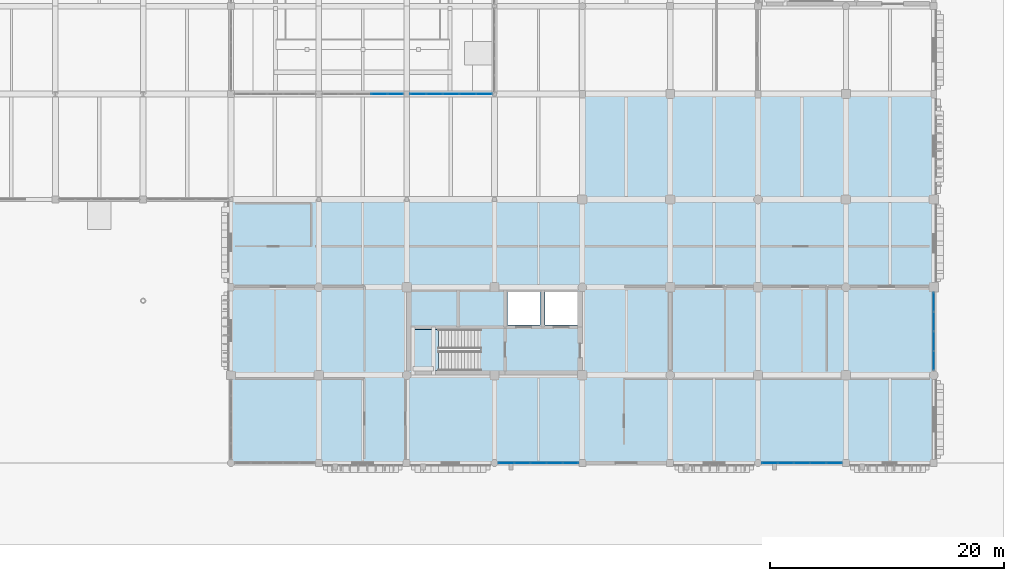
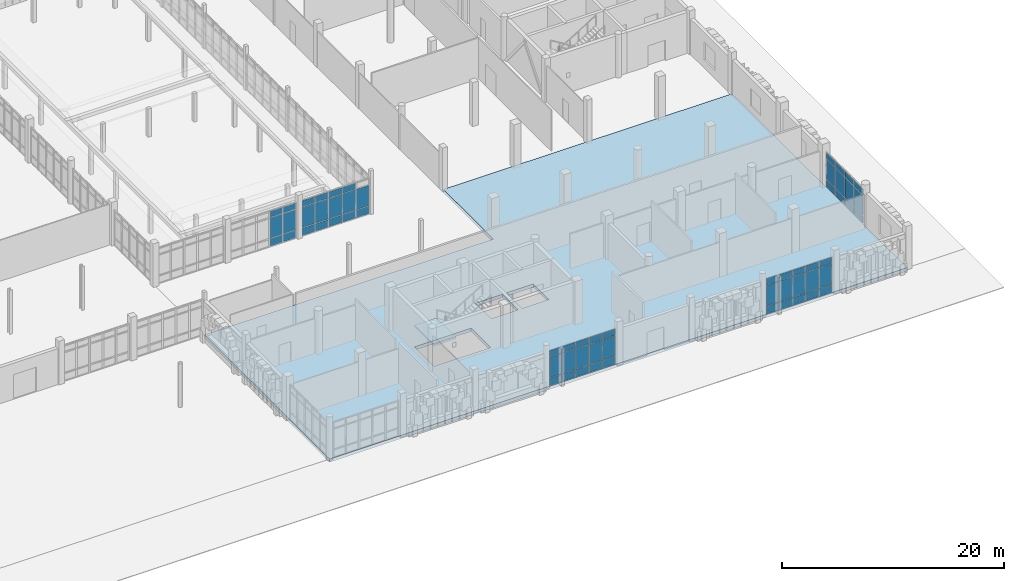
# One storey, part 82 of 125: 62 plates, 2 slabs, 6 elements without a shape of their own.
"""IFC4 building model written with IfcOpenShell, lengths in metres."""

import ifcopenshell
import ifcopenshell.guid

model = None  # the IFC model being written
_history = None  # IfcOwnerHistory: only IFC2X3 demands one
_inside = {}  # id of a spatial element -> (the spatial element, [elements in it])
_under = {}  # id of a project, library or spatial element -> (it, [spatial elements below it])
_declared = {}  # id of a project -> (the project, [libraries it declares])
_typed = {}  # id of a type object -> (the type object, [elements of that type])
_made_of = {}  # id of a material, layer set ... -> (it, [elements and type objects made of it])


def new_model(schema):
    """Start an empty IFC model of exactly this schema.

    Asked for "IFC4X3", IfcOpenShell would pick the latest addendum, in which some entities
    have other attributes; the version numbers below select the first issue.
    IFC2X3 requires an IfcOwnerHistory on every rooted entity: one is made here for all.
    """
    global model, _history
    if schema == "IFC4X3":
        model = ifcopenshell.file(schema_version=(4, 3, 0, 0))
    else:
        model = ifcopenshell.file(schema=schema)
    _inside.clear()
    _under.clear()
    _declared.clear()
    _typed.clear()
    _made_of.clear()
    _history = None
    if model.schema == "IFC2X3":
        org = make("IfcOrganization", Name="unknown")
        user = make(
            "IfcPersonAndOrganization",
            ThePerson=make("IfcPerson", FamilyName="unknown"),
            TheOrganization=org,
        )
        app = make(
            "IfcApplication",
            ApplicationDeveloper=org,
            Version="unknown",
            ApplicationFullName="unknown",
            ApplicationIdentifier="unknown",
        )
        _history = make(
            "IfcOwnerHistory",
            OwningUser=user,
            OwningApplication=app,
            ChangeAction="ADDED",
            CreationDate=0,
        )
    return model


def make(cls, **values):
    """One entity of the class cls with the attributes given. An attribute that is None is left unset."""
    return model.create_entity(
        cls, **{name: value for name, value in values.items() if value is not None}
    )


def rooted(cls, **values):
    """An entity with a GlobalId (a new one), such as an element, a storey or a relation."""
    return make(cls, GlobalId=ifcopenshell.guid.new(), OwnerHistory=_history, **values)


def si_unit(unit_type, name, prefix=None):
    """IfcSIUnit, for example si_unit("LENGTHUNIT", "METRE", prefix="MILLI")."""
    return make("IfcSIUnit", UnitType=unit_type, Prefix=prefix, Name=name)


def assignment(units):
    """IfcUnitAssignment: the units of a project."""
    return None if units is None else make("IfcUnitAssignment", Units=units)


def point(xyz):
    """IfcCartesianPoint."""
    return None if xyz is None else make("IfcCartesianPoint", Coordinates=xyz)


def direction(xyz):
    """IfcDirection."""
    return None if xyz is None else make("IfcDirection", DirectionRatios=xyz)


def frame(location, z_axis=None, x_axis=None):
    """IfcAxis2Placement3D, a coordinate frame: its origin and axes. An axis left out is left unset."""
    return make(
        "IfcAxis2Placement3D",
        Location=point(location),
        Axis=direction(z_axis),
        RefDirection=direction(x_axis),
    )


def frame_2d(location, x_axis=None):
    """IfcAxis2Placement2D, a coordinate frame in the plane: its origin and x axis."""
    return make(
        "IfcAxis2Placement2D", Location=point(location), RefDirection=direction(x_axis)
    )


def origin():
    """The frame at (0, 0, 0) with its axes left unset."""
    return frame((0.0, 0.0, 0.0))


def origin_2d():
    """The frame at (0, 0) in the plane with its x axis left unset."""
    return frame_2d((0.0, 0.0))


def place(relative_to, where):
    """IfcLocalPlacement: puts the frame where relative to a parent placement (None: the world)."""
    return make(
        "IfcLocalPlacement", PlacementRelTo=relative_to, RelativePlacement=where
    )


def context(
    kind, dimensions, precision=None, world=None, true_north=None, identifier=None
):
    """IfcGeometricRepresentationContext, for example the 3D "Model" context."""
    return make(
        "IfcGeometricRepresentationContext",
        ContextIdentifier=identifier,
        ContextType=kind,
        CoordinateSpaceDimension=dimensions,
        Precision=precision,
        WorldCoordinateSystem=world,
        TrueNorth=true_north,
    )


def subcontext(parent, identifier, kind, view, scale=None):
    """IfcGeometricRepresentationSubContext, for example "Body" below "Model"."""
    return make(
        "IfcGeometricRepresentationSubContext",
        ContextIdentifier=identifier,
        ContextType=kind,
        ParentContext=parent,
        TargetScale=scale,
        TargetView=view,
    )


def project(units=None, contexts=None):
    """IfcProject with its units and contexts."""
    return rooted(
        "IfcProject",
        Name="project",
        RepresentationContexts=contexts,
        UnitsInContext=assignment(units),
    )


def spatial(cls, under=None, at=None, **own):
    """A site, building, storey or space (cls), placed at a placement, below another one or the project."""
    s = rooted(cls, ObjectPlacement=at, **own)
    if under is not None:
        _under.setdefault(under.id(), (under, []))[1].append(s)
    return s


def polyline(points):
    """IfcPolyline through the points."""
    return make("IfcPolyline", Points=[point(p) for p in points])


def profile(cls, at=None, kind="AREA", **sizes):
    """A parametric profile (cls). Its sizes go by their IFC names, for example OverallWidth=200.0."""
    return make(cls, ProfileType=kind, Position=at, **sizes)


def rectangle(**sizes):
    """IfcRectangleProfileDef."""
    return profile("IfcRectangleProfileDef", **sizes)


def outline(outer, holes=None, kind="AREA"):
    """IfcArbitraryClosedProfileDef: a profile drawn as a closed curve; with holes, ...WithVoids."""
    if holes is None:
        return make("IfcArbitraryClosedProfileDef", ProfileType=kind, OuterCurve=outer)
    return make(
        "IfcArbitraryProfileDefWithVoids",
        ProfileType=kind,
        OuterCurve=outer,
        InnerCurves=holes,
    )


def extrude(swept, where, along, depth):
    """IfcExtrudedAreaSolid: the profile swept, set in the frame where, extruded along a direction by depth."""
    return make(
        "IfcExtrudedAreaSolid",
        SweptArea=swept,
        Position=where,
        ExtrudedDirection=direction(along),
        Depth=depth,
    )


def shape(context_of_items, identifier, shape_type, items):
    """IfcShapeRepresentation: the items that make up one representation, for example the "Body"."""
    return make(
        "IfcShapeRepresentation",
        ContextOfItems=context_of_items,
        RepresentationIdentifier=identifier,
        RepresentationType=shape_type,
        Items=items,
    )


def material(Name=None, Category=None):
    """IfcMaterial."""
    return make("IfcMaterial", Name=Name, Category=Category)


def layer(
    of_material, thickness, ventilated=None, Name=None, Category=None, Priority=None
):
    """IfcMaterialLayer: one layer of a wall or slab, of a material (None: an air gap)."""
    return make(
        "IfcMaterialLayer",
        Material=of_material,
        LayerThickness=thickness,
        IsVentilated=ventilated,
        Name=Name,
        Category=Category,
        Priority=Priority,
    )


def layer_set(layers, Name=None):
    """IfcMaterialLayerSet."""
    return make("IfcMaterialLayerSet", MaterialLayers=layers, LayerSetName=Name)


def made_of(thing, what):
    """Note that an element or type object is made of a material, layer set ...; save() writes the relation."""
    if what is not None:
        _made_of.setdefault(what.id(), (what, []))[1].append(thing)
    return thing


def type_object(cls, material=None, **own):
    """A type object (cls), such as IfcWallType, which elements share."""
    return made_of(rooted(cls, **own), material)


def element(
    cls,
    number,
    at=None,
    inside=None,
    cuts=None,
    type_object=None,
    material=None,
    context=None,
    identifier="Body",
    shape_type=None,
    held_by="IfcProductDefinitionShape",
    body=None,
    shapes=None,
    **own,
):
    """One element of the class cls, such as IfcWall. Its Tag is "e" and its number.

    at: its placement. inside: the storey or other place that contains it. cuts: it is an
    opening in that element (IfcRelVoidsElement). A single representation is given by context,
    identifier, shape_type and body (its items); several are given by shapes. held_by: the class
    of the entity that holds the representations. save() writes the other relations.
    """
    e = rooted(cls, Tag="e%d" % number, ObjectPlacement=at, **own)
    if body is not None:
        shapes = [shape(context, identifier, shape_type, body)]
    if shapes is not None:
        e.Representation = make(held_by, Representations=shapes)
    if inside is not None:
        _inside.setdefault(inside.id(), (inside, []))[1].append(e)
    if cuts is not None:
        rooted(
            "IfcRelVoidsElement", RelatingBuildingElement=cuts, RelatedOpeningElement=e
        )
    if type_object is not None:
        _typed.setdefault(type_object.id(), (type_object, []))[1].append(e)
    return made_of(e, material)


def aggregate(whole, parts):
    """IfcRelAggregates: a whole, such as a stair, and the parts it consists of."""
    return rooted("IfcRelAggregates", RelatingObject=whole, RelatedObjects=parts)


def save(model, path):
    """Write the relations noted so far, then the file.

    IfcRelAggregates (storeys below a building ...), IfcRelContainedInSpatialStructure (elements
    in a storey), IfcRelDefinesByType, IfcRelAssociatesMaterial and IfcRelDeclares: one each for
    every whole, place, type object, material and project.
    """
    for whole, parts in _under.values():
        aggregate(whole, parts)
    for where, things in _inside.values():
        rooted(
            "IfcRelContainedInSpatialStructure",
            RelatedElements=things,
            RelatingStructure=where,
        )
    for kind, things in _typed.values():
        rooted("IfcRelDefinesByType", RelatedObjects=things, RelatingType=kind)
    for what, things in _made_of.values():
        rooted("IfcRelAssociatesMaterial", RelatedObjects=things, RelatingMaterial=what)
    for by, libraries in _declared.values():
        rooted("IfcRelDeclares", RelatingContext=by, RelatedDefinitions=libraries)
    model.write(path)


model = new_model("IFC4")

# Units and contexts
model_context = context("Model", 3, precision=1e-05, world=origin(), true_north=direction((0.0, 1.0)))
body_context = subcontext(model_context, "Body", "Model", "MODEL_VIEW")
ifc_project = project(units=[si_unit("LENGTHUNIT", "METRE"), si_unit("AREAUNIT", "SQUARE_METRE"), si_unit("VOLUMEUNIT", "CUBIC_METRE"), si_unit("PLANEANGLEUNIT", "RADIAN"), si_unit("MASSUNIT", "GRAM", prefix="KILO")], contexts=[model_context])

# Site, building, storey
site_placement = place(None, origin())
site = spatial("IfcSite", under=ifc_project, at=site_placement, CompositionType="ELEMENT")
building_placement = place(site_placement, origin())
building = spatial("IfcBuilding", under=site, at=building_placement, Name="Dalvernix Boulevard General Hospital", CompositionType="ELEMENT")
storey_placement = place(building_placement, origin())
storey = spatial("IfcBuildingStorey", under=building, at=storey_placement, Name="L00", CompositionType="ELEMENT", Elevation=0.0)

# Curtain wall, plates
ifc_material_1 = material(Name="Thermally broken aluminium and solar-control glass curtain wall", Category="aluminium")
ifc_layer_1 = layer(ifc_material_1, 0.159912109375)
ifc_layer_set_1 = layer_set([ifc_layer_1], Name="Thermally broken aluminium and solar-control glass curtain wall (CW-CW-A-71x40)")
curtain_wall_type_1 = type_object("IfcCurtainWallType", Name="CW-CW-A-71x40", PredefinedType="USERDEFINED", material=ifc_layer_set_1)
curtain_wall_1_placement = place(storey_placement, origin())
curtain_wall_1 = element("IfcCurtainWall", 1, at=curtain_wall_1_placement, inside=storey, type_object=curtain_wall_type_1, Name="L00 curtain wall CW-A-71x40 17-4", ObjectType="GLAZED FACADE", PredefinedType="USERDEFINED")
ifc_material_2 = material(Name="Double-glazed solar-control low-emissivity glass", Category="glass")
ifc_layer_2 = layer(ifc_material_2, 0.02392578125)
ifc_layer_set_2 = layer_set([ifc_layer_2], Name="Double-glazed solar-control low-emissivity glass (PLT-CW-P1)")
plate_type_1 = type_object("IfcPlateType", Name="PLT-CW-P1", PredefinedType="CURTAIN_PANEL", material=ifc_layer_set_2)
plate_1_placement = place(storey_placement, frame((128.48193359375, 31.5, 0.06005859375), z_axis=(0.0, 0.0, 1.0), x_axis=(1.0, 0.0, 0.0)))
plate_1 = element("IfcPlate", 2, at=plate_1_placement, type_object=plate_type_1, Name="CW-A-71x40 panel 1.1", PredefinedType="CURTAIN_PANEL", context=body_context, shape_type="SweptSolid", body=[
    extrude(rectangle(XDim=1.323974609375, YDim=0.02392578125, at=origin_2d()), origin(), (0.0, 0.0, 1.0), 0.81005859375),
])
plate_2_placement = place(storey_placement, frame((128.48193359375, 31.5, 0.93017578125), z_axis=(0.0, 0.0, 1.0), x_axis=(1.0, 0.0, 0.0)))
plate_2 = element("IfcPlate", 3, at=plate_2_placement, type_object=plate_type_1, Name="CW-A-71x40 panel 1.2", PredefinedType="CURTAIN_PANEL", context=body_context, shape_type="SweptSolid", body=[
    extrude(rectangle(XDim=1.323974609375, YDim=0.02392578125, at=origin_2d()), origin(), (0.0, 0.0, 1.0), 2.239990234375),
])
plate_3_placement = place(storey_placement, frame((128.48193359375, 31.5, 3.22998046875), z_axis=(0.0, 0.0, 1.0), x_axis=(1.0, 0.0, 0.0)))
plate_3 = element("IfcPlate", 4, at=plate_3_placement, type_object=plate_type_1, Name="CW-A-71x40 panel 1.3", PredefinedType="CURTAIN_PANEL", context=body_context, shape_type="SweptSolid", body=[
    extrude(rectangle(XDim=1.323974609375, YDim=0.02392578125, at=origin_2d()), origin(), (0.0, 0.0, 1.0), 0.659912109375),
])
plate_4_placement = place(storey_placement, frame((129.881103515625, 31.5, 0.06005859375), z_axis=(0.0, 0.0, 1.0), x_axis=(1.0, 0.0, 0.0)))
plate_4 = element("IfcPlate", 5, at=plate_4_placement, type_object=plate_type_1, Name="CW-A-71x40 panel 2.1", PredefinedType="CURTAIN_PANEL", context=body_context, shape_type="SweptSolid", body=[
    extrude(rectangle(XDim=1.35400390625, YDim=0.02392578125, at=origin_2d()), origin(), (0.0, 0.0, 1.0), 0.81005859375),
])
plate_5_placement = place(storey_placement, frame((129.881103515625, 31.5, 0.93017578125), z_axis=(0.0, 0.0, 1.0), x_axis=(1.0, 0.0, 0.0)))
plate_5 = element("IfcPlate", 6, at=plate_5_placement, type_object=plate_type_1, Name="CW-A-71x40 panel 2.2", PredefinedType="CURTAIN_PANEL", context=body_context, shape_type="SweptSolid", body=[
    extrude(rectangle(XDim=1.35400390625, YDim=0.02392578125, at=origin_2d()), origin(), (0.0, 0.0, 1.0), 2.239990234375),
])
plate_6_placement = place(storey_placement, frame((129.881103515625, 31.5, 3.22998046875), z_axis=(0.0, 0.0, 1.0), x_axis=(1.0, 0.0, 0.0)))
plate_6 = element("IfcPlate", 7, at=plate_6_placement, type_object=plate_type_1, Name="CW-A-71x40 panel 2.3", PredefinedType="CURTAIN_PANEL", context=body_context, shape_type="SweptSolid", body=[
    extrude(rectangle(XDim=1.35400390625, YDim=0.02392578125, at=origin_2d()), origin(), (0.0, 0.0, 1.0), 0.659912109375),
])
plate_7_placement = place(storey_placement, frame((131.294921875, 31.5, 0.06005859375), z_axis=(0.0, 0.0, 1.0), x_axis=(1.0, 0.0, 0.0)))
plate_7 = element("IfcPlate", 8, at=plate_7_placement, type_object=plate_type_1, Name="CW-A-71x40 panel 3.1", PredefinedType="CURTAIN_PANEL", context=body_context, shape_type="SweptSolid", body=[
    extrude(rectangle(XDim=1.35400390625, YDim=0.02392578125, at=origin_2d()), origin(), (0.0, 0.0, 1.0), 0.81005859375),
])
plate_8_placement = place(storey_placement, frame((131.294921875, 31.5, 0.93017578125), z_axis=(0.0, 0.0, 1.0), x_axis=(1.0, 0.0, 0.0)))
plate_8 = element("IfcPlate", 9, at=plate_8_placement, type_object=plate_type_1, Name="CW-A-71x40 panel 3.2", PredefinedType="CURTAIN_PANEL", context=body_context, shape_type="SweptSolid", body=[
    extrude(rectangle(XDim=1.35400390625, YDim=0.02392578125, at=origin_2d()), origin(), (0.0, 0.0, 1.0), 2.239990234375),
])
plate_9_placement = place(storey_placement, frame((131.294921875, 31.5, 3.22998046875), z_axis=(0.0, 0.0, 1.0), x_axis=(1.0, 0.0, 0.0)))
plate_9 = element("IfcPlate", 10, at=plate_9_placement, type_object=plate_type_1, Name="CW-A-71x40 panel 3.3", PredefinedType="CURTAIN_PANEL", context=body_context, shape_type="SweptSolid", body=[
    extrude(rectangle(XDim=1.35400390625, YDim=0.02392578125, at=origin_2d()), origin(), (0.0, 0.0, 1.0), 0.659912109375),
])
plate_10_placement = place(storey_placement, frame((132.708984375, 31.5, 0.06005859375), z_axis=(0.0, 0.0, 1.0), x_axis=(1.0, 0.0, 0.0)))
plate_10 = element("IfcPlate", 11, at=plate_10_placement, type_object=plate_type_1, Name="CW-A-71x40 panel 4.1", PredefinedType="CURTAIN_PANEL", context=body_context, shape_type="SweptSolid", body=[
    extrude(rectangle(XDim=1.35400390625, YDim=0.02392578125, at=origin_2d()), origin(), (0.0, 0.0, 1.0), 0.81005859375),
])
plate_11_placement = place(storey_placement, frame((132.708984375, 31.5, 0.93017578125), z_axis=(0.0, 0.0, 1.0), x_axis=(1.0, 0.0, 0.0)))
plate_11 = element("IfcPlate", 12, at=plate_11_placement, type_object=plate_type_1, Name="CW-A-71x40 panel 4.2", PredefinedType="CURTAIN_PANEL", context=body_context, shape_type="SweptSolid", body=[
    extrude(rectangle(XDim=1.35400390625, YDim=0.02392578125, at=origin_2d()), origin(), (0.0, 0.0, 1.0), 2.239990234375),
])
plate_12_placement = place(storey_placement, frame((132.708984375, 31.5, 3.22998046875), z_axis=(0.0, 0.0, 1.0), x_axis=(1.0, 0.0, 0.0)))
plate_12 = element("IfcPlate", 13, at=plate_12_placement, type_object=plate_type_1, Name="CW-A-71x40 panel 4.3", PredefinedType="CURTAIN_PANEL", context=body_context, shape_type="SweptSolid", body=[
    extrude(rectangle(XDim=1.35400390625, YDim=0.02392578125, at=origin_2d()), origin(), (0.0, 0.0, 1.0), 0.659912109375),
])
plate_13_placement = place(storey_placement, frame((134.10791015625, 31.5, 0.06005859375), z_axis=(0.0, 0.0, 1.0), x_axis=(1.0, 0.0, 0.0)))
plate_13 = element("IfcPlate", 14, at=plate_13_placement, type_object=plate_type_1, Name="CW-A-71x40 panel 5.1", PredefinedType="CURTAIN_PANEL", context=body_context, shape_type="SweptSolid", body=[
    extrude(rectangle(XDim=1.323974609375, YDim=0.02392578125, at=origin_2d()), origin(), (0.0, 0.0, 1.0), 0.81005859375),
])
plate_14_placement = place(storey_placement, frame((134.10791015625, 31.5, 0.93017578125), z_axis=(0.0, 0.0, 1.0), x_axis=(1.0, 0.0, 0.0)))
plate_14 = element("IfcPlate", 15, at=plate_14_placement, type_object=plate_type_1, Name="CW-A-71x40 panel 5.2", PredefinedType="CURTAIN_PANEL", context=body_context, shape_type="SweptSolid", body=[
    extrude(rectangle(XDim=1.323974609375, YDim=0.02392578125, at=origin_2d()), origin(), (0.0, 0.0, 1.0), 2.239990234375),
])
aggregate(curtain_wall_1, [plate_1, plate_2, plate_3, plate_4, plate_5, plate_6, plate_7, plate_8, plate_9, plate_10, plate_11, plate_12, plate_13, plate_14])

ifc_layer_3 = layer(ifc_material_1, 0.159912109375)
ifc_layer_set_3 = layer_set([ifc_layer_3], Name="Thermally broken aluminium and solar-control glass curtain wall (CW-CW-A-69x40)")
curtain_wall_type_2 = type_object("IfcCurtainWallType", Name="CW-CW-A-69x40", PredefinedType="USERDEFINED", material=ifc_layer_set_3)
curtain_wall_2_placement = place(storey_placement, origin())
curtain_wall_2 = element("IfcCurtainWall", 16, at=curtain_wall_2_placement, inside=storey, type_object=curtain_wall_type_2, Name="L00 curtain wall CW-A-69x40 18-0", ObjectType="GLAZED FACADE", PredefinedType="USERDEFINED")
plate_15_placement = place(storey_placement, frame((141.487060546875, 0.0, 0.06005859375), z_axis=(0.0, 0.0, 1.0), x_axis=(-1.0, 0.0, 0.0)))
plate_15 = element("IfcPlate", 17, at=plate_15_placement, type_object=plate_type_1, Name="CW-A-69x40 panel 1.1", PredefinedType="CURTAIN_PANEL", context=body_context, shape_type="SweptSolid", body=[
    extrude(rectangle(XDim=1.285888671875, YDim=0.02392578125, at=origin_2d()), origin(), (0.0, 0.0, 1.0), 0.81005859375),
])
plate_16_placement = place(storey_placement, frame((141.487060546875, 0.0, 0.93017578125), z_axis=(0.0, 0.0, 1.0), x_axis=(-1.0, 0.0, 0.0)))
plate_16 = element("IfcPlate", 18, at=plate_16_placement, type_object=plate_type_1, Name="CW-A-69x40 panel 1.2", PredefinedType="CURTAIN_PANEL", context=body_context, shape_type="SweptSolid", body=[
    extrude(rectangle(XDim=1.285888671875, YDim=0.02392578125, at=origin_2d()), origin(), (0.0, 0.0, 1.0), 2.239990234375),
])
plate_17_placement = place(storey_placement, frame((141.487060546875, 0.0, 3.22998046875), z_axis=(0.0, 0.0, 1.0), x_axis=(-1.0, 0.0, 0.0)))
plate_17 = element("IfcPlate", 19, at=plate_17_placement, type_object=plate_type_1, Name="CW-A-69x40 panel 1.3", PredefinedType="CURTAIN_PANEL", context=body_context, shape_type="SweptSolid", body=[
    extrude(rectangle(XDim=1.285888671875, YDim=0.02392578125, at=origin_2d()), origin(), (0.0, 0.0, 1.0), 0.659912109375),
])
plate_18_placement = place(storey_placement, frame((140.1259765625, 0.0, 0.06005859375), z_axis=(0.0, 0.0, 1.0), x_axis=(-1.0, 0.0, 0.0)))
plate_18 = element("IfcPlate", 20, at=plate_18_placement, type_object=plate_type_1, Name="CW-A-69x40 panel 2.1", PredefinedType="CURTAIN_PANEL", context=body_context, shape_type="SweptSolid", body=[
    extrude(rectangle(XDim=1.31591796875, YDim=0.02392578125, at=origin_2d()), origin(), (0.0, 0.0, 1.0), 0.81005859375),
])
plate_19_placement = place(storey_placement, frame((140.1259765625, 0.0, 0.93017578125), z_axis=(0.0, 0.0, 1.0), x_axis=(-1.0, 0.0, 0.0)))
plate_19 = element("IfcPlate", 21, at=plate_19_placement, type_object=plate_type_1, Name="CW-A-69x40 panel 2.2", PredefinedType="CURTAIN_PANEL", context=body_context, shape_type="SweptSolid", body=[
    extrude(rectangle(XDim=1.31591796875, YDim=0.02392578125, at=origin_2d()), origin(), (0.0, 0.0, 1.0), 2.239990234375),
])
plate_20_placement = place(storey_placement, frame((140.1259765625, 0.0, 3.22998046875), z_axis=(0.0, 0.0, 1.0), x_axis=(-1.0, 0.0, 0.0)))
plate_20 = element("IfcPlate", 22, at=plate_20_placement, type_object=plate_type_1, Name="CW-A-69x40 panel 2.3", PredefinedType="CURTAIN_PANEL", context=body_context, shape_type="SweptSolid", body=[
    extrude(rectangle(XDim=1.31591796875, YDim=0.02392578125, at=origin_2d()), origin(), (0.0, 0.0, 1.0), 0.659912109375),
])
plate_21_placement = place(storey_placement, frame((138.75, 0.0, 0.06005859375), z_axis=(0.0, 0.0, 1.0), x_axis=(-1.0, 0.0, 0.0)))
plate_21 = element("IfcPlate", 23, at=plate_21_placement, type_object=plate_type_1, Name="CW-A-69x40 panel 3.1", PredefinedType="CURTAIN_PANEL", context=body_context, shape_type="SweptSolid", body=[
    extrude(rectangle(XDim=1.31591796875, YDim=0.02392578125, at=origin_2d()), origin(), (0.0, 0.0, 1.0), 0.81005859375),
])
plate_22_placement = place(storey_placement, frame((138.75, 0.0, 0.93017578125), z_axis=(0.0, 0.0, 1.0), x_axis=(-1.0, 0.0, 0.0)))
plate_22 = element("IfcPlate", 24, at=plate_22_placement, type_object=plate_type_1, Name="CW-A-69x40 panel 3.2", PredefinedType="CURTAIN_PANEL", context=body_context, shape_type="SweptSolid", body=[
    extrude(rectangle(XDim=1.31591796875, YDim=0.02392578125, at=origin_2d()), origin(), (0.0, 0.0, 1.0), 2.239990234375),
])
plate_23_placement = place(storey_placement, frame((138.75, 0.0, 3.22998046875), z_axis=(0.0, 0.0, 1.0), x_axis=(-1.0, 0.0, 0.0)))
plate_23 = element("IfcPlate", 25, at=plate_23_placement, type_object=plate_type_1, Name="CW-A-69x40 panel 3.3", PredefinedType="CURTAIN_PANEL", context=body_context, shape_type="SweptSolid", body=[
    extrude(rectangle(XDim=1.31591796875, YDim=0.02392578125, at=origin_2d()), origin(), (0.0, 0.0, 1.0), 0.659912109375),
])
plate_24_placement = place(storey_placement, frame((137.3740234375, 0.0, 0.06005859375), z_axis=(0.0, 0.0, 1.0), x_axis=(-1.0, 0.0, 0.0)))
plate_24 = element("IfcPlate", 26, at=plate_24_placement, type_object=plate_type_1, Name="CW-A-69x40 panel 4.1", PredefinedType="CURTAIN_PANEL", context=body_context, shape_type="SweptSolid", body=[
    extrude(rectangle(XDim=1.31591796875, YDim=0.02392578125, at=origin_2d()), origin(), (0.0, 0.0, 1.0), 0.81005859375),
])
plate_25_placement = place(storey_placement, frame((137.3740234375, 0.0, 0.93017578125), z_axis=(0.0, 0.0, 1.0), x_axis=(-1.0, 0.0, 0.0)))
plate_25 = element("IfcPlate", 27, at=plate_25_placement, type_object=plate_type_1, Name="CW-A-69x40 panel 4.2", PredefinedType="CURTAIN_PANEL", context=body_context, shape_type="SweptSolid", body=[
    extrude(rectangle(XDim=1.31591796875, YDim=0.02392578125, at=origin_2d()), origin(), (0.0, 0.0, 1.0), 2.239990234375),
])
plate_26_placement = place(storey_placement, frame((137.3740234375, 0.0, 3.22998046875), z_axis=(0.0, 0.0, 1.0), x_axis=(-1.0, 0.0, 0.0)))
plate_26 = element("IfcPlate", 28, at=plate_26_placement, type_object=plate_type_1, Name="CW-A-69x40 panel 4.3", PredefinedType="CURTAIN_PANEL", context=body_context, shape_type="SweptSolid", body=[
    extrude(rectangle(XDim=1.31591796875, YDim=0.02392578125, at=origin_2d()), origin(), (0.0, 0.0, 1.0), 0.659912109375),
])
plate_27_placement = place(storey_placement, frame((136.012939453125, 0.0, 0.06005859375), z_axis=(0.0, 0.0, 1.0), x_axis=(-1.0, 0.0, 0.0)))
plate_27 = element("IfcPlate", 29, at=plate_27_placement, type_object=plate_type_1, Name="CW-A-69x40 panel 5.1", PredefinedType="CURTAIN_PANEL", context=body_context, shape_type="SweptSolid", body=[
    extrude(rectangle(XDim=1.285888671875, YDim=0.02392578125, at=origin_2d()), origin(), (0.0, 0.0, 1.0), 0.81005859375),
])
plate_28_placement = place(storey_placement, frame((136.012939453125, 0.0, 0.93017578125), z_axis=(0.0, 0.0, 1.0), x_axis=(-1.0, 0.0, 0.0)))
plate_28 = element("IfcPlate", 30, at=plate_28_placement, type_object=plate_type_1, Name="CW-A-69x40 panel 5.2", PredefinedType="CURTAIN_PANEL", context=body_context, shape_type="SweptSolid", body=[
    extrude(rectangle(XDim=1.285888671875, YDim=0.02392578125, at=origin_2d()), origin(), (0.0, 0.0, 1.0), 2.239990234375),
])
plate_29_placement = place(storey_placement, frame((136.012939453125, 0.0, 3.22998046875), z_axis=(0.0, 0.0, 1.0), x_axis=(-1.0, 0.0, 0.0)))
plate_29 = element("IfcPlate", 31, at=plate_29_placement, type_object=plate_type_1, Name="CW-A-69x40 panel 5.3", PredefinedType="CURTAIN_PANEL", context=body_context, shape_type="SweptSolid", body=[
    extrude(rectangle(XDim=1.285888671875, YDim=0.02392578125, at=origin_2d()), origin(), (0.0, 0.0, 1.0), 0.659912109375),
])
aggregate(curtain_wall_2, [plate_15, plate_16, plate_17, plate_18, plate_19, plate_20, plate_21, plate_22, plate_23, plate_24, plate_25, plate_26, plate_27, plate_28, plate_29])

curtain_wall_3_placement = place(storey_placement, origin())
curtain_wall_3 = element("IfcCurtainWall", 32, at=curtain_wall_3_placement, inside=storey, type_object=curtain_wall_type_2, Name="L00 curtain wall CW-A-69x40 21-0", ObjectType="GLAZED FACADE", PredefinedType="USERDEFINED")
plate_30_placement = place(storey_placement, frame((163.987060546875, 0.0, 0.06005859375), z_axis=(0.0, 0.0, 1.0), x_axis=(-1.0, 0.0, 0.0)))
plate_30 = element("IfcPlate", 33, at=plate_30_placement, type_object=plate_type_1, Name="CW-A-69x40 panel 1.1", PredefinedType="CURTAIN_PANEL", context=body_context, shape_type="SweptSolid", body=[
    extrude(rectangle(XDim=1.285888671875, YDim=0.02392578125, at=origin_2d()), origin(), (0.0, 0.0, 1.0), 0.81005859375),
])
plate_31_placement = place(storey_placement, frame((163.987060546875, 0.0, 0.93017578125), z_axis=(0.0, 0.0, 1.0), x_axis=(-1.0, 0.0, 0.0)))
plate_31 = element("IfcPlate", 34, at=plate_31_placement, type_object=plate_type_1, Name="CW-A-69x40 panel 1.2", PredefinedType="CURTAIN_PANEL", context=body_context, shape_type="SweptSolid", body=[
    extrude(rectangle(XDim=1.285888671875, YDim=0.02392578125, at=origin_2d()), origin(), (0.0, 0.0, 1.0), 2.239990234375),
])
plate_32_placement = place(storey_placement, frame((163.987060546875, 0.0, 3.22998046875), z_axis=(0.0, 0.0, 1.0), x_axis=(-1.0, 0.0, 0.0)))
plate_32 = element("IfcPlate", 35, at=plate_32_placement, type_object=plate_type_1, Name="CW-A-69x40 panel 1.3", PredefinedType="CURTAIN_PANEL", context=body_context, shape_type="SweptSolid", body=[
    extrude(rectangle(XDim=1.285888671875, YDim=0.02392578125, at=origin_2d()), origin(), (0.0, 0.0, 1.0), 0.659912109375),
])
plate_33_placement = place(storey_placement, frame((162.6259765625, 0.0, 0.06005859375), z_axis=(0.0, 0.0, 1.0), x_axis=(-1.0, 0.0, 0.0)))
plate_33 = element("IfcPlate", 36, at=plate_33_placement, type_object=plate_type_1, Name="CW-A-69x40 panel 2.1", PredefinedType="CURTAIN_PANEL", context=body_context, shape_type="SweptSolid", body=[
    extrude(rectangle(XDim=1.31591796875, YDim=0.02392578125, at=origin_2d()), origin(), (0.0, 0.0, 1.0), 0.81005859375),
])
plate_34_placement = place(storey_placement, frame((162.6259765625, 0.0, 0.93017578125), z_axis=(0.0, 0.0, 1.0), x_axis=(-1.0, 0.0, 0.0)))
plate_34 = element("IfcPlate", 37, at=plate_34_placement, type_object=plate_type_1, Name="CW-A-69x40 panel 2.2", PredefinedType="CURTAIN_PANEL", context=body_context, shape_type="SweptSolid", body=[
    extrude(rectangle(XDim=1.31591796875, YDim=0.02392578125, at=origin_2d()), origin(), (0.0, 0.0, 1.0), 2.239990234375),
])
plate_35_placement = place(storey_placement, frame((162.6259765625, 0.0, 3.22998046875), z_axis=(0.0, 0.0, 1.0), x_axis=(-1.0, 0.0, 0.0)))
plate_35 = element("IfcPlate", 38, at=plate_35_placement, type_object=plate_type_1, Name="CW-A-69x40 panel 2.3", PredefinedType="CURTAIN_PANEL", context=body_context, shape_type="SweptSolid", body=[
    extrude(rectangle(XDim=1.31591796875, YDim=0.02392578125, at=origin_2d()), origin(), (0.0, 0.0, 1.0), 0.659912109375),
])
plate_36_placement = place(storey_placement, frame((161.25, 0.0, 0.06005859375), z_axis=(0.0, 0.0, 1.0), x_axis=(-1.0, 0.0, 0.0)))
plate_36 = element("IfcPlate", 39, at=plate_36_placement, type_object=plate_type_1, Name="CW-A-69x40 panel 3.1", PredefinedType="CURTAIN_PANEL", context=body_context, shape_type="SweptSolid", body=[
    extrude(rectangle(XDim=1.31591796875, YDim=0.02392578125, at=origin_2d()), origin(), (0.0, 0.0, 1.0), 0.81005859375),
])
plate_37_placement = place(storey_placement, frame((161.25, 0.0, 0.93017578125), z_axis=(0.0, 0.0, 1.0), x_axis=(-1.0, 0.0, 0.0)))
plate_37 = element("IfcPlate", 40, at=plate_37_placement, type_object=plate_type_1, Name="CW-A-69x40 panel 3.2", PredefinedType="CURTAIN_PANEL", context=body_context, shape_type="SweptSolid", body=[
    extrude(rectangle(XDim=1.31591796875, YDim=0.02392578125, at=origin_2d()), origin(), (0.0, 0.0, 1.0), 2.239990234375),
])
plate_38_placement = place(storey_placement, frame((161.25, 0.0, 3.22998046875), z_axis=(0.0, 0.0, 1.0), x_axis=(-1.0, 0.0, 0.0)))
plate_38 = element("IfcPlate", 41, at=plate_38_placement, type_object=plate_type_1, Name="CW-A-69x40 panel 3.3", PredefinedType="CURTAIN_PANEL", context=body_context, shape_type="SweptSolid", body=[
    extrude(rectangle(XDim=1.31591796875, YDim=0.02392578125, at=origin_2d()), origin(), (0.0, 0.0, 1.0), 0.659912109375),
])
plate_39_placement = place(storey_placement, frame((159.8740234375, 0.0, 0.06005859375), z_axis=(0.0, 0.0, 1.0), x_axis=(-1.0, 0.0, 0.0)))
plate_39 = element("IfcPlate", 42, at=plate_39_placement, type_object=plate_type_1, Name="CW-A-69x40 panel 4.1", PredefinedType="CURTAIN_PANEL", context=body_context, shape_type="SweptSolid", body=[
    extrude(rectangle(XDim=1.31591796875, YDim=0.02392578125, at=origin_2d()), origin(), (0.0, 0.0, 1.0), 0.81005859375),
])
plate_40_placement = place(storey_placement, frame((159.8740234375, 0.0, 0.93017578125), z_axis=(0.0, 0.0, 1.0), x_axis=(-1.0, 0.0, 0.0)))
plate_40 = element("IfcPlate", 43, at=plate_40_placement, type_object=plate_type_1, Name="CW-A-69x40 panel 4.2", PredefinedType="CURTAIN_PANEL", context=body_context, shape_type="SweptSolid", body=[
    extrude(rectangle(XDim=1.31591796875, YDim=0.02392578125, at=origin_2d()), origin(), (0.0, 0.0, 1.0), 2.239990234375),
])
plate_41_placement = place(storey_placement, frame((159.8740234375, 0.0, 3.22998046875), z_axis=(0.0, 0.0, 1.0), x_axis=(-1.0, 0.0, 0.0)))
plate_41 = element("IfcPlate", 44, at=plate_41_placement, type_object=plate_type_1, Name="CW-A-69x40 panel 4.3", PredefinedType="CURTAIN_PANEL", context=body_context, shape_type="SweptSolid", body=[
    extrude(rectangle(XDim=1.31591796875, YDim=0.02392578125, at=origin_2d()), origin(), (0.0, 0.0, 1.0), 0.659912109375),
])
plate_42_placement = place(storey_placement, frame((158.512939453125, 0.0, 0.06005859375), z_axis=(0.0, 0.0, 1.0), x_axis=(-1.0, 0.0, 0.0)))
plate_42 = element("IfcPlate", 45, at=plate_42_placement, type_object=plate_type_1, Name="CW-A-69x40 panel 5.1", PredefinedType="CURTAIN_PANEL", context=body_context, shape_type="SweptSolid", body=[
    extrude(rectangle(XDim=1.285888671875, YDim=0.02392578125, at=origin_2d()), origin(), (0.0, 0.0, 1.0), 0.81005859375),
])
plate_43_placement = place(storey_placement, frame((158.512939453125, 0.0, 0.93017578125), z_axis=(0.0, 0.0, 1.0), x_axis=(-1.0, 0.0, 0.0)))
plate_43 = element("IfcPlate", 46, at=plate_43_placement, type_object=plate_type_1, Name="CW-A-69x40 panel 5.2", PredefinedType="CURTAIN_PANEL", context=body_context, shape_type="SweptSolid", body=[
    extrude(rectangle(XDim=1.285888671875, YDim=0.02392578125, at=origin_2d()), origin(), (0.0, 0.0, 1.0), 2.239990234375),
])
plate_44_placement = place(storey_placement, frame((158.512939453125, 0.0, 3.22998046875), z_axis=(0.0, 0.0, 1.0), x_axis=(-1.0, 0.0, 0.0)))
plate_44 = element("IfcPlate", 47, at=plate_44_placement, type_object=plate_type_1, Name="CW-A-69x40 panel 5.3", PredefinedType="CURTAIN_PANEL", context=body_context, shape_type="SweptSolid", body=[
    extrude(rectangle(XDim=1.285888671875, YDim=0.02392578125, at=origin_2d()), origin(), (0.0, 0.0, 1.0), 0.659912109375),
])
aggregate(curtain_wall_3, [plate_30, plate_31, plate_32, plate_33, plate_34, plate_35, plate_36, plate_37, plate_38, plate_39, plate_40, plate_41, plate_42, plate_43, plate_44])

ifc_layer_4 = layer(ifc_material_1, 0.159912109375)
ifc_layer_set_4 = layer_set([ifc_layer_4], Name="Thermally broken aluminium and solar-control glass curtain wall (CW-CW-A-67x39)")
curtain_wall_type_3 = type_object("IfcCurtainWallType", Name="CW-CW-A-67x39", PredefinedType="USERDEFINED", material=ifc_layer_set_4)
curtain_wall_4_placement = place(storey_placement, origin())
curtain_wall_4 = element("IfcCurtainWall", 48, at=curtain_wall_4_placement, inside=storey, type_object=curtain_wall_type_3, Name="L00 curtain wall CW-A-67x39 23-1", ObjectType="GLAZED FACADE", PredefinedType="USERDEFINED")
plate_45_placement = place(storey_placement, frame((172.5, 13.73681640625, 0.06005859375), z_axis=(0.0, 0.0, 1.0), x_axis=(0.0, -1.0, 0.0)))
plate_45 = element("IfcPlate", 49, at=plate_45_placement, type_object=plate_type_1, Name="CW-A-67x39 panel 1.1", PredefinedType="CURTAIN_PANEL", context=body_context, shape_type="SweptSolid", body=[
    extrude(rectangle(XDim=1.586181640625, YDim=0.02392578125, at=origin_2d()), origin(), (0.0, 0.0, 1.0), 0.81005859375),
])
plate_46_placement = place(storey_placement, frame((172.5, 13.73681640625, 0.929931640625), z_axis=(0.0, 0.0, 1.0), x_axis=(0.0, -1.0, 0.0)))
plate_46 = element("IfcPlate", 50, at=plate_46_placement, type_object=plate_type_1, Name="CW-A-67x39 panel 1.2", PredefinedType="CURTAIN_PANEL", context=body_context, shape_type="SweptSolid", body=[
    extrude(rectangle(XDim=1.586181640625, YDim=0.02392578125, at=origin_2d()), origin(), (0.0, 0.0, 1.0), 2.18994140625),
])
plate_47_placement = place(storey_placement, frame((172.5, 13.73681640625, 3.18017578125), z_axis=(0.0, 0.0, 1.0), x_axis=(0.0, -1.0, 0.0)))
plate_47 = element("IfcPlate", 51, at=plate_47_placement, type_object=plate_type_1, Name="CW-A-67x39 panel 1.3", PredefinedType="CURTAIN_PANEL", context=body_context, shape_type="SweptSolid", body=[
    extrude(rectangle(XDim=1.586181640625, YDim=0.02392578125, at=origin_2d()), origin(), (0.0, 0.0, 1.0), 0.659912109375),
])
plate_48_placement = place(storey_placement, frame((172.5, 12.07568359375, 0.06005859375), z_axis=(0.0, 0.0, 1.0), x_axis=(0.0, -1.0, 0.0)))
plate_48 = element("IfcPlate", 52, at=plate_48_placement, type_object=plate_type_1, Name="CW-A-67x39 panel 2.1", PredefinedType="CURTAIN_PANEL", context=body_context, shape_type="SweptSolid", body=[
    extrude(rectangle(XDim=1.6162109375, YDim=0.02392578125, at=origin_2d()), origin(), (0.0, 0.0, 1.0), 0.81005859375),
])
plate_49_placement = place(storey_placement, frame((172.5, 12.07568359375, 0.929931640625), z_axis=(0.0, 0.0, 1.0), x_axis=(0.0, -1.0, 0.0)))
plate_49 = element("IfcPlate", 53, at=plate_49_placement, type_object=plate_type_1, Name="CW-A-67x39 panel 2.2", PredefinedType="CURTAIN_PANEL", context=body_context, shape_type="SweptSolid", body=[
    extrude(rectangle(XDim=1.6162109375, YDim=0.02392578125, at=origin_2d()), origin(), (0.0, 0.0, 1.0), 2.18994140625),
])
plate_50_placement = place(storey_placement, frame((172.5, 12.07568359375, 3.18017578125), z_axis=(0.0, 0.0, 1.0), x_axis=(0.0, -1.0, 0.0)))
plate_50 = element("IfcPlate", 54, at=plate_50_placement, type_object=plate_type_1, Name="CW-A-67x39 panel 2.3", PredefinedType="CURTAIN_PANEL", context=body_context, shape_type="SweptSolid", body=[
    extrude(rectangle(XDim=1.6162109375, YDim=0.02392578125, at=origin_2d()), origin(), (0.0, 0.0, 1.0), 0.659912109375),
])
plate_51_placement = place(storey_placement, frame((172.5, 10.3994140625, 0.06005859375), z_axis=(0.0, 0.0, 1.0), x_axis=(0.0, -1.0, 0.0)))
plate_51 = element("IfcPlate", 55, at=plate_51_placement, type_object=plate_type_1, Name="CW-A-67x39 panel 3.1", PredefinedType="CURTAIN_PANEL", context=body_context, shape_type="SweptSolid", body=[
    extrude(rectangle(XDim=1.6162109375, YDim=0.02392578125, at=origin_2d()), origin(), (0.0, 0.0, 1.0), 0.81005859375),
])
plate_52_placement = place(storey_placement, frame((172.5, 10.3994140625, 0.929931640625), z_axis=(0.0, 0.0, 1.0), x_axis=(0.0, -1.0, 0.0)))
plate_52 = element("IfcPlate", 56, at=plate_52_placement, type_object=plate_type_1, Name="CW-A-67x39 panel 3.2", PredefinedType="CURTAIN_PANEL", context=body_context, shape_type="SweptSolid", body=[
    extrude(rectangle(XDim=1.6162109375, YDim=0.02392578125, at=origin_2d()), origin(), (0.0, 0.0, 1.0), 2.18994140625),
])
plate_53_placement = place(storey_placement, frame((172.5, 10.3994140625, 3.18017578125), z_axis=(0.0, 0.0, 1.0), x_axis=(0.0, -1.0, 0.0)))
plate_53 = element("IfcPlate", 57, at=plate_53_placement, type_object=plate_type_1, Name="CW-A-67x39 panel 3.3", PredefinedType="CURTAIN_PANEL", context=body_context, shape_type="SweptSolid", body=[
    extrude(rectangle(XDim=1.6162109375, YDim=0.02392578125, at=origin_2d()), origin(), (0.0, 0.0, 1.0), 0.659912109375),
])
plate_54_placement = place(storey_placement, frame((172.5, 8.738037109375, 0.06005859375), z_axis=(0.0, 0.0, 1.0), x_axis=(0.0, -1.0, 0.0)))
plate_54 = element("IfcPlate", 58, at=plate_54_placement, type_object=plate_type_1, Name="CW-A-67x39 panel 4.1", PredefinedType="CURTAIN_PANEL", context=body_context, shape_type="SweptSolid", body=[
    extrude(rectangle(XDim=1.586181640625, YDim=0.02392578125, at=origin_2d()), origin(), (0.0, 0.0, 1.0), 0.81005859375),
])
plate_55_placement = place(storey_placement, frame((172.5, 8.738037109375, 0.929931640625), z_axis=(0.0, 0.0, 1.0), x_axis=(0.0, -1.0, 0.0)))
plate_55 = element("IfcPlate", 59, at=plate_55_placement, type_object=plate_type_1, Name="CW-A-67x39 panel 4.2", PredefinedType="CURTAIN_PANEL", context=body_context, shape_type="SweptSolid", body=[
    extrude(rectangle(XDim=1.586181640625, YDim=0.02392578125, at=origin_2d()), origin(), (0.0, 0.0, 1.0), 2.18994140625),
])
plate_56_placement = place(storey_placement, frame((172.5, 8.738037109375, 3.18017578125), z_axis=(0.0, 0.0, 1.0), x_axis=(0.0, -1.0, 0.0)))
plate_56 = element("IfcPlate", 60, at=plate_56_placement, type_object=plate_type_1, Name="CW-A-67x39 panel 4.3", PredefinedType="CURTAIN_PANEL", context=body_context, shape_type="SweptSolid", body=[
    extrude(rectangle(XDim=1.586181640625, YDim=0.02392578125, at=origin_2d()), origin(), (0.0, 0.0, 1.0), 0.659912109375),
])
aggregate(curtain_wall_4, [plate_45, plate_46, plate_47, plate_48, plate_49, plate_50, plate_51, plate_52, plate_53, plate_54, plate_55, plate_56])

ifc_layer_5 = layer(ifc_material_1, 0.199951171875)
ifc_layer_set_5 = layer_set([ifc_layer_5], Name="Thermally broken aluminium and solar-control glass curtain wall (CW-CW-C-70x40)")
curtain_wall_type_4 = type_object("IfcCurtainWallType", Name="CW-CW-C-70x40", PredefinedType="USERDEFINED", material=ifc_layer_set_5)
curtain_wall_5_placement = place(storey_placement, origin())
curtain_wall_5 = element("IfcCurtainWall", 61, at=curtain_wall_5_placement, inside=storey, type_object=curtain_wall_type_4, Name="L00 curtain wall CW-C-70x40 16-4", ObjectType="GLAZED FACADE", PredefinedType="USERDEFINED")
ifc_layer_6 = layer(ifc_material_2, 0.035888671875)
ifc_layer_set_6 = layer_set([ifc_layer_6], Name="Double-glazed solar-control low-emissivity glass (PLT-CW-P3)")
plate_type_2 = type_object("IfcPlateType", Name="PLT-CW-P3", PredefinedType="CURTAIN_PANEL", material=ifc_layer_set_6)
plate_57_placement = place(storey_placement, frame((125.153564453125, 31.5, 0.070068359375), z_axis=(0.0, 0.0, 1.0), x_axis=(1.0, 0.0, 0.0)))
plate_57 = element("IfcPlate", 62, at=plate_57_placement, type_object=plate_type_2, Name="CW-C-70x40 panel 4.1", PredefinedType="CURTAIN_PANEL", context=body_context, shape_type="SweptSolid", body=[
    extrude(rectangle(XDim=1.321044921875, YDim=0.035888671875, at=origin_2d()), origin(), (0.0, 0.0, 1.0), 0.794921875),
])
plate_58_placement = place(storey_placement, frame((125.153564453125, 31.5, 0.93505859375), z_axis=(0.0, 0.0, 1.0), x_axis=(1.0, 0.0, 0.0)))
plate_58 = element("IfcPlate", 63, at=plate_58_placement, type_object=plate_type_2, Name="CW-C-70x40 panel 4.2", PredefinedType="CURTAIN_PANEL", context=body_context, shape_type="SweptSolid", body=[
    extrude(rectangle(XDim=1.321044921875, YDim=0.035888671875, at=origin_2d()), origin(), (0.0, 0.0, 1.0), 2.22998046875),
])
plate_59_placement = place(storey_placement, frame((125.153564453125, 31.5, 3.235107421875), z_axis=(0.0, 0.0, 1.0), x_axis=(1.0, 0.0, 0.0)))
plate_59 = element("IfcPlate", 64, at=plate_59_placement, type_object=plate_type_2, Name="CW-C-70x40 panel 4.3", PredefinedType="CURTAIN_PANEL", context=body_context, shape_type="SweptSolid", body=[
    extrude(rectangle(XDim=1.321044921875, YDim=0.035888671875, at=origin_2d()), origin(), (0.0, 0.0, 1.0), 0.64501953125),
])
plate_60_placement = place(storey_placement, frame((126.527099609375, 31.5, 0.070068359375), z_axis=(0.0, 0.0, 1.0), x_axis=(1.0, 0.0, 0.0)))
plate_60 = element("IfcPlate", 65, at=plate_60_placement, type_object=plate_type_2, Name="CW-C-70x40 panel 5.1", PredefinedType="CURTAIN_PANEL", context=body_context, shape_type="SweptSolid", body=[
    extrude(rectangle(XDim=1.285888671875, YDim=0.035888671875, at=origin_2d()), origin(), (0.0, 0.0, 1.0), 0.794921875),
])
plate_61_placement = place(storey_placement, frame((126.527099609375, 31.5, 0.93505859375), z_axis=(0.0, 0.0, 1.0), x_axis=(1.0, 0.0, 0.0)))
plate_61 = element("IfcPlate", 66, at=plate_61_placement, type_object=plate_type_2, Name="CW-C-70x40 panel 5.2", PredefinedType="CURTAIN_PANEL", context=body_context, shape_type="SweptSolid", body=[
    extrude(rectangle(XDim=1.285888671875, YDim=0.035888671875, at=origin_2d()), origin(), (0.0, 0.0, 1.0), 2.22998046875),
])
plate_62_placement = place(storey_placement, frame((126.527099609375, 31.5, 3.235107421875), z_axis=(0.0, 0.0, 1.0), x_axis=(1.0, 0.0, 0.0)))
plate_62 = element("IfcPlate", 67, at=plate_62_placement, type_object=plate_type_2, Name="CW-C-70x40 panel 5.3", PredefinedType="CURTAIN_PANEL", context=body_context, shape_type="SweptSolid", body=[
    extrude(rectangle(XDim=1.285888671875, YDim=0.035888671875, at=origin_2d()), origin(), (0.0, 0.0, 1.0), 0.64501953125),
])
aggregate(curtain_wall_5, [plate_57, plate_58, plate_59, plate_60, plate_61, plate_62])

# Slab
ifc_material_3 = material(Name="Concrete C35/45", Category="concrete")
ifc_layer_7 = layer(ifc_material_3, 0.360107421875)
ifc_layer_set_7 = layer_set([ifc_layer_7], Name="Concrete C35/45 (SLB-FS-01)")
slab_type_1 = type_object("IfcSlabType", Name="SLB-FS-01", PredefinedType="FLOOR", material=ifc_layer_set_7)
slab_1_placement = place(storey_placement, frame((0.0, 0.0, -0.360107421875)))
element("IfcSlab", 68, at=slab_1_placement, inside=storey, type_object=slab_type_1, Name="L00 V5 structural floor slab 1", PredefinedType="FLOOR", context=body_context, shape_type="SweptSolid", body=[
    extrude(outline(polyline([(135.0, 22.5), (142.5, 22.5), (142.5, 31.5), (150.0, 31.5), (157.5, 31.5), (165.0, 31.5), (172.5, 31.5), (172.5, 22.5), (172.5, 15.0), (172.5, 7.5), (172.5, 0.0), (165.0, 0.0), (157.5, 0.0), (150.0, 0.0), (142.5, 0.0), (135.0, 0.0), (127.5, 0.0), (120.0, 0.0), (112.5, 0.0), (112.5, 7.5), (112.5, 15.0), (112.5, 22.5), (120.0, 22.5), (127.5, 22.5), (135.0, 22.5)]), holes=[polyline([(127.89990234375, 7.89990234375), (133.7900390625, 7.89990234375), (133.7900390625, 11.39990234375), (127.89990234375, 11.39990234375), (127.89990234375, 7.89990234375)]), polyline([(136.10009765625, 14.60009765625), (136.10009765625, 11.800048828125), (138.89990234375, 11.800048828125), (138.89990234375, 14.60009765625), (136.10009765625, 14.60009765625)]), polyline([(142.10009765625, 14.60009765625), (139.300048828125, 14.60009765625), (139.300048828125, 11.800048828125), (142.10009765625, 11.800048828125), (142.10009765625, 14.60009765625)])]), origin(), (0.0, 0.0, 1.0), 0.360107421875),
])

# Stair, slab
ifc_material_4 = material(Name="Precast concrete C40/50", Category="concrete")
stair_type = type_object("IfcStairType", Name="IFCSTAIR-STC-165x480", PredefinedType="HALF_TURN_STAIR", material=ifc_material_4)
stair_placement = place(storey_placement, origin())
stair = element("IfcStair", 69, at=stair_placement, inside=storey, type_object=stair_type, Name="L00 Core C5 Exit Stair ST-05", PredefinedType="HALF_TURN_STAIR")
ifc_layer_8 = layer(ifc_material_4, 0.199951171875)
ifc_layer_set_8 = layer_set([ifc_layer_8], Name="Precast concrete C40/50 (SLB-LND-01)")
slab_type_2 = type_object("IfcSlabType", Name="SLB-LND-01", PredefinedType="LANDING", material=ifc_layer_set_8)
slab_2_placement = place(storey_placement, frame((0.0, 0.0, 2.199951171875)))
slab_2 = element("IfcSlab", 70, at=slab_2_placement, type_object=slab_type_2, Name="ST-05 landing 1", PredefinedType="LANDING", context=body_context, shape_type="SweptSolid", body=[
    extrude(outline(polyline([(130.2099609375, 11.39990234375), (127.89990234375, 11.39990234375), (127.89990234375, 7.89990234375), (130.2099609375, 7.89990234375), (130.2099609375, 11.39990234375)])), origin(), (0.0, 0.0, 1.0), 0.199951171875),
])
aggregate(stair, [slab_2])

save(model, "model.ifc")
